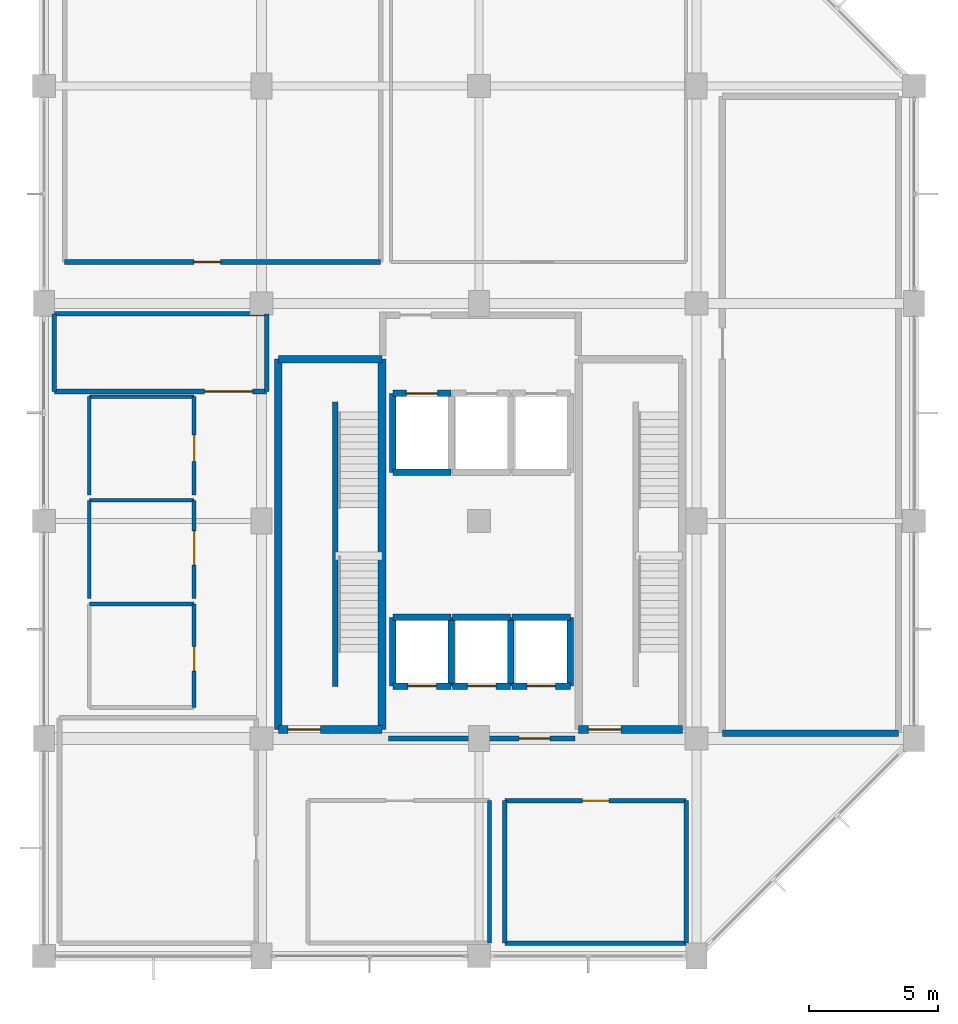
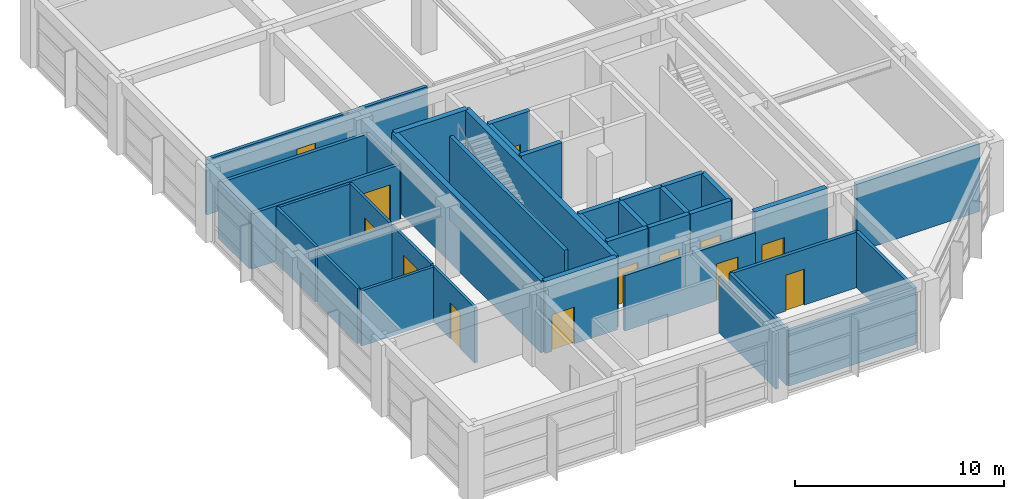
# One storey, part 10 of 12: 39 walls, 13 doors, 13 openings.
"""IFC4 building model written with IfcOpenShell, lengths in metres."""

from ifc_helpers import new_model, si_unit, direction, frame, frame_2d, origin, place, context, subcontext, project, spatial, rectangle, extrude, material, layer, layer_set, type_object, element, fill, save


model = new_model("IFC4")

# Units and contexts
model_context = context("Model", 3, precision=1e-05, world=origin(), true_north=direction((0.0, 1.0)))
body_context = subcontext(model_context, "Body", "Model", "MODEL_VIEW")
ifc_project = project(units=[si_unit("LENGTHUNIT", "METRE"), si_unit("AREAUNIT", "SQUARE_METRE"), si_unit("VOLUMEUNIT", "CUBIC_METRE"), si_unit("PLANEANGLEUNIT", "RADIAN"), si_unit("MASSUNIT", "GRAM", prefix="KILO")], contexts=[model_context])

# Site, building, storey
site_placement = place(None, origin())
site = spatial("IfcSite", under=ifc_project, at=site_placement, CompositionType="ELEMENT")
building_placement = place(site_placement, origin())
building = spatial("IfcBuilding", under=site, at=building_placement, Name="Xuanlan Plaza Opera House", CompositionType="ELEMENT")
storey_placement = place(building_placement, frame((0.0, 0.0, 61.5)))
storey = spatial("IfcBuildingStorey", under=building, at=storey_placement, Name="L14", CompositionType="ELEMENT", Elevation=61.5)

# Wall, opening, door
ifc_material_1 = material(Name="Gypsum Board and Galvanised Steel Studs", Category="gypsum")
ifc_layer_1 = layer(ifc_material_1, 0.179931640625)
ifc_layer_set_1 = layer_set([ifc_layer_1], Name="Gypsum Board and Galvanised Steel Studs")
wall_type_1 = type_object("IfcWallType", Name="INT-WL-PW-02", PredefinedType="PARTITIONING", material=ifc_layer_set_1)
wall_1_placement = place(storey_placement, frame((139.300048828125, 50.39990234375, 0.0), z_axis=(0.0, 0.0, 1.0), x_axis=(1.0, 0.0, 0.0)))
wall_1 = element("IfcWall", 1, at=wall_1_placement, inside=storey, type_object=wall_type_1, Name="Tower Lift Lobby Wall South", PredefinedType="PARTITIONING", context=body_context, shape_type="SweptSolid", body=[
    extrude(rectangle(XDim=7.199951171875, YDim=0.179931640625, at=frame_2d((3.60009765625, 0.0))), origin(), (0.0, 0.0, 1.0), 3.239990234375),
])
opening_1_placement = place(wall_1_placement, frame((5.050048828125, 0.0, 0.0)))
opening_1 = element("IfcOpeningElement", 2, at=opening_1_placement, cuts=wall_1, Name="Opening FD-02", PredefinedType="OPENING", context=body_context, shape_type="SweptSolid", body=[
    extrude(rectangle(XDim=1.199951171875, YDim=2.14990234375, at=frame_2d((0.60009765625, 1.074951171875))), frame((0.0, 0.099853515625, 0.0), z_axis=(0.0, -1.0, 0.0), x_axis=(1.0, 0.0, 0.0)), (0.0, 0.0, 1.0), 0.199951171875),
])
ifc_material_2 = material(Name="Galvanised Steel Q235B", Category="steel")
door_type_1 = type_object("IfcDoorType", Name="INT-DR-FD-02", OperationType="NOTDEFINED", PredefinedType="DOOR", material=ifc_material_2)
door_1_placement = place(opening_1_placement, frame((1.199951171875, 0.0, 0.0), z_axis=(0.0, 0.0, 1.0), x_axis=(-1.0, 0.0, 0.0)))
door_1 = element("IfcDoor", 3, at=door_1_placement, inside=storey, type_object=door_type_1, Name="Tower Lift Lobby Door 1", OperationType="SINGLE_SWING_RIGHT", OverallHeight=2.14990234375, OverallWidth=1.199951171875, PredefinedType="DOOR", context=body_context, shape_type="SweptSolid", body=[
    extrude(rectangle(XDim=1.199951171875, YDim=2.14990234375, at=frame_2d((0.60009765625, 1.074951171875))), frame((0.0, 0.02490234375, 0.0), z_axis=(0.0, -1.0, 0.0), x_axis=(1.0, 0.0, 0.0)), (0.0, 0.0, 1.0), 0.050048828125),
])
fill(opening_1, door_1)

wall_2_placement = place(storey_placement, frame((126.800048828125, 68.800048828125, 0.0), z_axis=(0.0, 0.0, 1.0), x_axis=(1.0, 0.0, 0.0)))
wall_2 = element("IfcWall", 4, at=wall_2_placement, inside=storey, type_object=wall_type_1, Name="Endowment Executive Suite West Wall South", PredefinedType="PARTITIONING", context=body_context, shape_type="SweptSolid", body=[
    extrude(rectangle(XDim=12.199951171875, YDim=0.179931640625, at=frame_2d((6.10009765625, 0.0))), origin(), (0.0, 0.0, 1.0), 3.239990234375),
])
opening_2_placement = place(wall_2_placement, frame((5.0, 0.0, 0.0)))
opening_2 = element("IfcOpeningElement", 5, at=opening_2_placement, cuts=wall_2, Name="Opening D-02", PredefinedType="OPENING", context=body_context, shape_type="SweptSolid", body=[
    extrude(rectangle(XDim=1.02001953125, YDim=2.10009765625, at=frame_2d((0.510009765625, 1.050048828125))), frame((0.0, 0.099853515625, 0.0), z_axis=(0.0, -1.0, 0.0), x_axis=(1.0, 0.0, 0.0)), (0.0, 0.0, 1.0), 0.199951171875),
])
ifc_material_3 = material(Name="Oak Hardwood Timber", Category="wood")
door_type_2 = type_object("IfcDoorType", Name="INT-DR-D-02", OperationType="NOTDEFINED", PredefinedType="DOOR", material=ifc_material_3)
door_2_placement = place(opening_2_placement, origin())
door_2 = element("IfcDoor", 6, at=door_2_placement, inside=storey, type_object=door_type_2, Name="Endowment Executive Suite West Door 1", OperationType="SINGLE_SWING_LEFT", OverallHeight=2.10009765625, OverallWidth=1.02001953125, PredefinedType="DOOR", context=body_context, shape_type="SweptSolid", body=[
    extrude(rectangle(XDim=1.02001953125, YDim=2.10009765625, at=frame_2d((0.510009765625, 1.050048828125))), frame((0.0, 0.02490234375, 0.0), z_axis=(0.0, -1.0, 0.0), x_axis=(1.0, 0.0, 0.0)), (0.0, 0.0, 1.0), 0.050048828125),
])
fill(opening_2, door_2)

wall_3_placement = place(storey_placement, frame((126.39990234375, 63.800048828125, 0.0), z_axis=(0.0, 0.0, 1.0), x_axis=(1.0, 0.0, 0.0)))
wall_3 = element("IfcWall", 7, at=wall_3_placement, inside=storey, type_object=wall_type_1, Name="Sheet-Music Conservation Studio Wall South", PredefinedType="PARTITIONING", context=body_context, shape_type="SweptSolid", body=[
    extrude(rectangle(XDim=8.2001953125, YDim=0.179931640625, at=frame_2d((4.10009765625, 0.0))), origin(), (0.0, 0.0, 1.0), 3.239990234375),
])
opening_3_placement = place(wall_3_placement, frame((5.800048828125, 0.0, 0.0)))
opening_3 = element("IfcOpeningElement", 8, at=opening_3_placement, cuts=wall_3, Name="Opening D-15", PredefinedType="OPENING", context=body_context, shape_type="SweptSolid", body=[
    extrude(rectangle(XDim=1.860107421875, YDim=2.260009765625, at=frame_2d((0.93017578125, 1.1298828125))), frame((0.0, 0.099853515625, 0.0), z_axis=(0.0, -1.0, 0.0), x_axis=(1.0, 0.0, 0.0)), (0.0, 0.0, 1.0), 0.199951171875),
])
ifc_material_4 = material(Name="Walnut Hardwood Timber", Category="wood")
door_type_3 = type_object("IfcDoorType", Name="INT-DR-D-15", OperationType="DOUBLE_DOOR_SINGLE_SWING", PredefinedType="DOOR", material=ifc_material_4)
door_3_placement = place(opening_3_placement, origin())
door_3 = element("IfcDoor", 9, at=door_3_placement, inside=storey, type_object=door_type_3, Name="Sheet-Music Conservation Studio Door 1", OperationType="DOUBLE_DOOR_SINGLE_SWING", OverallHeight=2.260009765625, OverallWidth=1.860107421875, PredefinedType="DOOR", context=body_context, shape_type="SweptSolid", body=[
    extrude(rectangle(XDim=1.860107421875, YDim=2.260009765625, at=frame_2d((0.93017578125, 1.1298828125))), frame((0.0, 0.02490234375, 0.0), z_axis=(0.0, -1.0, 0.0), x_axis=(1.0, 0.0, 0.0)), (0.0, 0.0, 1.0), 0.050048828125),
])
fill(opening_3, door_3)

# Walls
wall_4_placement = place(storey_placement, frame((126.39990234375, 66.800048828125, 0.0), z_axis=(0.0, 0.0, 1.0), x_axis=(1.0, 0.0, 0.0)))
element("IfcWall", 10, at=wall_4_placement, inside=storey, type_object=wall_type_1, Name="Sheet-Music Conservation Studio Wall North", PredefinedType="PARTITIONING", context=body_context, shape_type="SweptSolid", body=[
    extrude(rectangle(XDim=8.2001953125, YDim=0.179931640625, at=frame_2d((4.10009765625, 0.0))), origin(), (0.0, 0.0, 1.0), 3.239990234375),
])
for number, where, z_axis, x_axis, name in (
    (11, (126.39990234375, 63.800048828125, 0.0), (0.0, 0.0, 1.0), (0.0, 1.0, 0.0), "Sheet-Music Conservation Studio Wall West"),
    (12, (134.60009765625, 63.800048828125, 0.0), (0.0, 0.0, 1.0), (0.0, 1.0, 0.0), "Sheet-Music Conservation Studio Wall East"),
):
    element("IfcWall", number, at=place(storey_placement, frame(where, z_axis=z_axis, x_axis=x_axis)), inside=storey, type_object=wall_type_1, Name=name, PredefinedType="PARTITIONING", context=body_context, shape_type="SweptSolid", body=[
        extrude(rectangle(XDim=3.0, YDim=0.179931640625, at=frame_2d((1.5, 0.0))), origin(), (0.0, 0.0, 1.0), 3.239990234375),
    ])
wall_5_placement = place(storey_placement, frame((143.800048828125, 42.5, 0.0), z_axis=(0.0, 0.0, 1.0), x_axis=(1.0, 0.0, 0.0)))
element("IfcWall", 13, at=wall_5_placement, inside=storey, type_object=wall_type_1, Name="Libretto Archive Studio Wall South", PredefinedType="PARTITIONING", context=body_context, shape_type="SweptSolid", body=[
    extrude(rectangle(XDim=7.0, YDim=0.179931640625, at=frame_2d((3.5, 0.0))), origin(), (0.0, 0.0, 1.0), 3.239990234375),
])

# Wall, opening, door
wall_6_placement = place(storey_placement, frame((143.800048828125, 48.0, 0.0), z_axis=(0.0, 0.0, 1.0), x_axis=(1.0, 0.0, 0.0)))
wall_6 = element("IfcWall", 14, at=wall_6_placement, inside=storey, type_object=wall_type_1, Name="Libretto Archive Studio Wall North", PredefinedType="PARTITIONING", context=body_context, shape_type="SweptSolid", body=[
    extrude(rectangle(XDim=7.0, YDim=0.179931640625, at=frame_2d((3.5, 0.0))), origin(), (0.0, 0.0, 1.0), 3.239990234375),
])
opening_4_placement = place(wall_6_placement, frame((3.0, 0.0, 0.0)))
opening_4 = element("IfcOpeningElement", 15, at=opening_4_placement, cuts=wall_6, Name="Opening D-02", PredefinedType="OPENING", context=body_context, shape_type="SweptSolid", body=[
    extrude(rectangle(XDim=1.02001953125, YDim=2.10009765625, at=frame_2d((0.510009765625, 1.050048828125))), frame((0.0, 0.099853515625, 0.0), z_axis=(0.0, -1.0, 0.0), x_axis=(1.0, 0.0, 0.0)), (0.0, 0.0, 1.0), 0.199951171875),
])
door_4_placement = place(opening_4_placement, origin())
door_4 = element("IfcDoor", 16, at=door_4_placement, inside=storey, type_object=door_type_2, Name="Libretto Archive Studio Door 1", OperationType="SINGLE_SWING_RIGHT", OverallHeight=2.10009765625, OverallWidth=1.02001953125, PredefinedType="DOOR", context=body_context, shape_type="SweptSolid", body=[
    extrude(rectangle(XDim=1.02001953125, YDim=2.10009765625, at=frame_2d((0.510009765625, 1.050048828125))), frame((0.0, 0.02490234375, 0.0), z_axis=(0.0, -1.0, 0.0), x_axis=(1.0, 0.0, 0.0)), (0.0, 0.0, 1.0), 0.050048828125),
])
fill(opening_4, door_4)

# Walls
for number, where, z_axis, x_axis, name in (
    (17, (143.800048828125, 42.5, 0.0), (0.0, 0.0, 1.0), (0.0, 1.0, 0.0), "Libretto Archive Studio Wall West"),
    (18, (150.800048828125, 42.5, 0.0), (0.0, 0.0, 1.0), (0.0, 1.0, 0.0), "Libretto Archive Studio Wall East"),
):
    element("IfcWall", number, at=place(storey_placement, frame(where, z_axis=z_axis, x_axis=x_axis)), inside=storey, type_object=wall_type_1, Name=name, PredefinedType="PARTITIONING", context=body_context, shape_type="SweptSolid", body=[
        extrude(rectangle(XDim=5.5, YDim=0.179931640625, at=frame_2d((2.75, 0.0))), origin(), (0.0, 0.0, 1.0), 3.239990234375),
    ])
ifc_material_5 = material(Name="Autoclaved Aerated Blockwork Masonry", Category="masonry")
ifc_layer_2 = layer(ifc_material_5, 0.14990234375)
ifc_layer_set_2 = layer_set([ifc_layer_2], Name="Autoclaved Aerated Blockwork Masonry")
wall_type_2 = type_object("IfcWallType", Name="INT-WL-PW-03", PredefinedType="PARTITIONING", material=ifc_layer_set_2)
wall_7_placement = place(storey_placement, frame((127.75, 55.60009765625, 0.0), z_axis=(0.0, 0.0, 1.0), x_axis=(1.0, 0.0, 0.0)))
element("IfcWall", 19, at=wall_7_placement, inside=storey, type_object=wall_type_2, Name="Public WC Wall North", PredefinedType="PARTITIONING", context=body_context, shape_type="SweptSolid", body=[
    extrude(rectangle(XDim=4.050048828125, YDim=0.14990234375, at=frame_2d((2.02490234375, 0.0))), origin(), (0.0, 0.0, 1.0), 3.239990234375),
])

# Wall, opening, door
wall_8_placement = place(storey_placement, frame((131.800048828125, 51.60009765625, 0.0), z_axis=(0.0, 0.0, 1.0), x_axis=(0.0, 1.0, 0.0)))
wall_8 = element("IfcWall", 20, at=wall_8_placement, inside=storey, type_object=wall_type_2, Name="Public WC Wall East", PredefinedType="PARTITIONING", context=body_context, shape_type="SweptSolid", body=[
    extrude(rectangle(XDim=4.0, YDim=0.14990234375, at=frame_2d((2.0, 0.0))), origin(), (0.0, 0.0, 1.0), 3.239990234375),
])
opening_5_placement = place(wall_8_placement, frame((1.39990234375, 0.0, 0.0)))
opening_5 = element("IfcOpeningElement", 21, at=opening_5_placement, cuts=wall_8, Name="Opening D-01", PredefinedType="OPENING", context=body_context, shape_type="SweptSolid", body=[
    extrude(rectangle(XDim=0.949951171875, YDim=2.10009765625, at=frame_2d((0.47509765625, 1.050048828125))), frame((0.0, 0.0849609375, 0.0), z_axis=(0.0, -1.0, 0.0), x_axis=(1.0, 0.0, 0.0)), (0.0, 0.0, 1.0), 0.169921875),
])
door_type_4 = type_object("IfcDoorType", Name="INT-DR-D-01", OperationType="NOTDEFINED", PredefinedType="DOOR", material=ifc_material_4)
door_5_placement = place(opening_5_placement, origin())
door_5 = element("IfcDoor", 22, at=door_5_placement, inside=storey, type_object=door_type_4, Name="Public WC Door 1", OperationType="SINGLE_SWING_RIGHT", OverallHeight=2.10009765625, OverallWidth=0.949951171875, PredefinedType="DOOR", context=body_context, shape_type="SweptSolid", body=[
    extrude(rectangle(XDim=0.949951171875, YDim=2.10009765625, at=frame_2d((0.47509765625, 1.050048828125))), frame((0.0, 0.02490234375, 0.0), z_axis=(0.0, -1.0, 0.0), x_axis=(1.0, 0.0, 0.0)), (0.0, 0.0, 1.0), 0.050048828125),
])
fill(opening_5, door_5)

# Walls
wall_9_placement = place(storey_placement, frame((127.75, 59.60009765625, 0.0), z_axis=(0.0, 0.0, 1.0), x_axis=(1.0, 0.0, 0.0)))
element("IfcWall", 23, at=wall_9_placement, inside=storey, type_object=wall_type_2, Name="Staff WC Wall North", PredefinedType="PARTITIONING", context=body_context, shape_type="SweptSolid", body=[
    extrude(rectangle(XDim=4.050048828125, YDim=0.14990234375, at=frame_2d((2.02490234375, 0.0))), origin(), (0.0, 0.0, 1.0), 3.239990234375),
])
wall_10_placement = place(storey_placement, frame((127.75, 55.800048828125, 0.0), z_axis=(0.0, 0.0, 1.0), x_axis=(0.0, 1.0, 0.0)))
element("IfcWall", 24, at=wall_10_placement, inside=storey, type_object=wall_type_2, Name="Staff WC Wall West", PredefinedType="PARTITIONING", context=body_context, shape_type="SweptSolid", body=[
    extrude(rectangle(XDim=3.800048828125, YDim=0.14990234375, at=frame_2d((1.89990234375, 0.0))), origin(), (0.0, 0.0, 1.0), 3.239990234375),
])

# Wall, opening, door
wall_11_placement = place(storey_placement, frame((131.800048828125, 55.800048828125, 0.0), z_axis=(0.0, 0.0, 1.0), x_axis=(0.0, 1.0, 0.0)))
wall_11 = element("IfcWall", 25, at=wall_11_placement, inside=storey, type_object=wall_type_2, Name="Staff WC Wall East", PredefinedType="PARTITIONING", context=body_context, shape_type="SweptSolid", body=[
    extrude(rectangle(XDim=3.800048828125, YDim=0.14990234375, at=frame_2d((1.89990234375, 0.0))), origin(), (0.0, 0.0, 1.0), 3.239990234375),
])
opening_6_placement = place(wall_11_placement, frame((1.300048828125, 0.0, 0.0)))
opening_6 = element("IfcOpeningElement", 26, at=opening_6_placement, cuts=wall_11, Name="Opening D-07", PredefinedType="OPENING", context=body_context, shape_type="SweptSolid", body=[
    extrude(rectangle(XDim=1.320068359375, YDim=2.179931640625, at=frame_2d((0.66015625, 1.08984375))), frame((0.0, 0.0849609375, 0.0), z_axis=(0.0, -1.0, 0.0), x_axis=(1.0, 0.0, 0.0)), (0.0, 0.0, 1.0), 0.169921875),
])
door_type_5 = type_object("IfcDoorType", Name="INT-DR-D-07", OperationType="NOTDEFINED", PredefinedType="DOOR", material=ifc_material_4)
door_6_placement = place(opening_6_placement, origin())
door_6 = element("IfcDoor", 27, at=door_6_placement, inside=storey, type_object=door_type_5, Name="Staff WC Door 1", OperationType="SINGLE_SWING_LEFT", OverallHeight=2.179931640625, OverallWidth=1.320068359375, PredefinedType="DOOR", context=body_context, shape_type="SweptSolid", body=[
    extrude(rectangle(XDim=1.320068359375, YDim=2.179931640625, at=frame_2d((0.66015625, 1.08984375))), frame((0.0, 0.02490234375, 0.0), z_axis=(0.0, -1.0, 0.0), x_axis=(1.0, 0.0, 0.0)), (0.0, 0.0, 1.0), 0.050048828125),
])
fill(opening_6, door_6)

# Walls
wall_12_placement = place(storey_placement, frame((127.75, 63.60009765625, 0.0), z_axis=(0.0, 0.0, 1.0), x_axis=(1.0, 0.0, 0.0)))
element("IfcWall", 28, at=wall_12_placement, inside=storey, type_object=wall_type_2, Name="Accessible WC Wall North", PredefinedType="PARTITIONING", context=body_context, shape_type="SweptSolid", body=[
    extrude(rectangle(XDim=4.050048828125, YDim=0.14990234375, at=frame_2d((2.02490234375, 0.0))), origin(), (0.0, 0.0, 1.0), 3.239990234375),
])
wall_13_placement = place(storey_placement, frame((127.75, 59.800048828125, 0.0), z_axis=(0.0, 0.0, 1.0), x_axis=(0.0, 1.0, 0.0)))
element("IfcWall", 29, at=wall_13_placement, inside=storey, type_object=wall_type_2, Name="Accessible WC Wall West", PredefinedType="PARTITIONING", context=body_context, shape_type="SweptSolid", body=[
    extrude(rectangle(XDim=3.800048828125, YDim=0.14990234375, at=frame_2d((1.89990234375, 0.0))), origin(), (0.0, 0.0, 1.0), 3.239990234375),
])

# Wall, opening, door
wall_14_placement = place(storey_placement, frame((131.800048828125, 59.800048828125, 0.0), z_axis=(0.0, 0.0, 1.0), x_axis=(0.0, 1.0, 0.0)))
wall_14 = element("IfcWall", 30, at=wall_14_placement, inside=storey, type_object=wall_type_2, Name="Accessible WC Wall East", PredefinedType="PARTITIONING", context=body_context, shape_type="SweptSolid", body=[
    extrude(rectangle(XDim=3.800048828125, YDim=0.14990234375, at=frame_2d((1.89990234375, 0.0))), origin(), (0.0, 0.0, 1.0), 3.239990234375),
])
opening_7_placement = place(wall_14_placement, frame((1.300048828125, 0.0, 0.0)))
opening_7 = element("IfcOpeningElement", 31, at=opening_7_placement, cuts=wall_14, Name="Opening D-02", PredefinedType="OPENING", context=body_context, shape_type="SweptSolid", body=[
    extrude(rectangle(XDim=1.02001953125, YDim=2.10009765625, at=frame_2d((0.510009765625, 1.050048828125))), frame((0.0, 0.0849609375, 0.0), z_axis=(0.0, -1.0, 0.0), x_axis=(1.0, 0.0, 0.0)), (0.0, 0.0, 1.0), 0.169921875),
])
door_7_placement = place(opening_7_placement, origin())
door_7 = element("IfcDoor", 32, at=door_7_placement, inside=storey, type_object=door_type_2, Name="Accessible WC Door 1", OperationType="SINGLE_SWING_RIGHT", OverallHeight=2.10009765625, OverallWidth=1.02001953125, PredefinedType="DOOR", context=body_context, shape_type="SweptSolid", body=[
    extrude(rectangle(XDim=1.02001953125, YDim=2.10009765625, at=frame_2d((0.510009765625, 1.050048828125))), frame((0.0, 0.02490234375, 0.0), z_axis=(0.0, -1.0, 0.0), x_axis=(1.0, 0.0, 0.0)), (0.0, 0.0, 1.0), 0.050048828125),
])
fill(opening_7, door_7)

# Walls
ifc_layer_3 = layer(ifc_material_1, 0.159912109375)
ifc_layer_set_3 = layer_set([ifc_layer_3], Name="Gypsum Board and Galvanised Steel Studs")
wall_type_3 = type_object("IfcWallType", Name="INT-WL-PW-05", PredefinedType="PARTITIONING", material=ifc_layer_set_3)
wall_15_placement = place(storey_placement, frame((143.199951171875, 42.5, 0.0), z_axis=(0.0, 0.0, 1.0), x_axis=(0.0, 1.0, 0.0)))
element("IfcWall", 33, at=wall_15_placement, inside=storey, type_object=wall_type_3, Name="Chamber Music Coaching Studio Wall East", PredefinedType="PARTITIONING", context=body_context, shape_type="SweptSolid", body=[
    extrude(rectangle(XDim=5.5, YDim=0.159912109375, at=frame_2d((2.75, 0.0))), origin(), (0.0, 0.0, 1.0), 3.239990234375),
])
ifc_material_6 = material(Name="Concrete C40", Category="concrete")
ifc_layer_4 = layer(ifc_material_6, 0.25)
ifc_layer_set_4 = layer_set([ifc_layer_4], Name="Concrete C40")
wall_type_4 = type_object("IfcWallType", Name="INT-WL-SW-LF1", PredefinedType="SHEAR", material=ifc_layer_set_4)
wall_16_placement = place(storey_placement, frame((139.47509765625, 60.675048828125, 0.0), z_axis=(0.0, 0.0, 1.0), x_axis=(1.0, 0.0, 0.0)))
element("IfcWall", 34, at=wall_16_placement, inside=storey, type_object=wall_type_4, Name="Lift Shaft Wall LF-FF1 L14 South", PredefinedType="SHEAR", context=body_context, shape_type="SweptSolid", body=[
    extrude(rectangle(XDim=2.25, YDim=0.25, at=frame_2d((1.125, 0.0))), origin(), (0.0, 0.0, 1.0), 3.9599609375),
])

# Wall, opening, door
wall_17_placement = place(storey_placement, frame((139.47509765625, 63.72509765625, 0.0), z_axis=(0.0, 0.0, 1.0), x_axis=(1.0, 0.0, 0.0)))
wall_17 = element("IfcWall", 35, at=wall_17_placement, inside=storey, type_object=wall_type_4, Name="Lift Shaft Wall LF-FF1 L14 North", PredefinedType="SHEAR", context=body_context, shape_type="SweptSolid", body=[
    extrude(rectangle(XDim=2.25, YDim=0.25, at=frame_2d((1.125, 0.0))), origin(), (0.0, 0.0, 1.0), 3.9599609375),
])
opening_8_placement = place(wall_17_placement, frame((0.52490234375, 0.0, 0.0)))
opening_8 = element("IfcOpeningElement", 36, at=opening_8_placement, cuts=wall_17, Name="Opening LD-FF1-L14", PredefinedType="OPENING", context=body_context, shape_type="SweptSolid", body=[
    extrude(rectangle(XDim=1.199951171875, YDim=2.179931640625, at=frame_2d((0.60009765625, 1.08984375))), frame((0.0, 0.135009765625, 0.0), z_axis=(0.0, -1.0, 0.0), x_axis=(1.0, 0.0, 0.0)), (0.0, 0.0, 1.0), 0.27001953125),
])
ifc_material_7 = material(Name="Stainless Steel S30408", Category="steel")
door_type_6 = type_object("IfcDoorType", Name="INT-DR-LD-02", OperationType="DOUBLE_DOOR_SLIDING", PredefinedType="DOOR", material=ifc_material_7)
door_8_placement = place(opening_8_placement, origin())
door_8 = element("IfcDoor", 37, at=door_8_placement, inside=storey, type_object=door_type_6, Name="Lift Sliding Landing Door LF-FF1 L14", OperationType="DOUBLE_DOOR_SLIDING", OverallHeight=2.179931640625, OverallWidth=1.199951171875, PredefinedType="DOOR", context=body_context, shape_type="SweptSolid", body=[
    extrude(rectangle(XDim=1.199951171875, YDim=2.179931640625, at=frame_2d((0.60009765625, 1.08984375))), frame((0.0, 0.02490234375, 0.0), z_axis=(0.0, -1.0, 0.0), x_axis=(1.0, 0.0, 0.0)), (0.0, 0.0, 1.0), 0.050048828125),
])
fill(opening_8, door_8)

# Wall
wall_18_placement = place(storey_placement, frame((139.47509765625, 60.675048828125, 0.0), z_axis=(0.0, 0.0, 1.0), x_axis=(0.0, 1.0, 0.0)))
element("IfcWall", 38, at=wall_18_placement, inside=storey, type_object=wall_type_4, Name="Lift Shaft Wall LF-FF1 L14 West", PredefinedType="SHEAR", context=body_context, shape_type="SweptSolid", body=[
    extrude(rectangle(XDim=3.050048828125, YDim=0.25, at=frame_2d((1.52490234375, 0.0))), origin(), (0.0, 0.0, 1.0), 3.9599609375),
])

# Wall, opening, door
wall_19_placement = place(storey_placement, frame((139.47509765625, 52.425048828125, 0.0), z_axis=(0.0, 0.0, 1.0), x_axis=(1.0, 0.0, 0.0)))
wall_19 = element("IfcWall", 39, at=wall_19_placement, inside=storey, type_object=wall_type_4, Name="Lift Shaft Wall LF-P1 L14 South", PredefinedType="SHEAR", context=body_context, shape_type="SweptSolid", body=[
    extrude(rectangle(XDim=2.25, YDim=0.25, at=frame_2d((1.125, 0.0))), origin(), (0.0, 0.0, 1.0), 3.9599609375),
])
opening_9_placement = place(wall_19_placement, frame((0.574951171875, 0.0, 0.0)))
opening_9 = element("IfcOpeningElement", 40, at=opening_9_placement, cuts=wall_19, Name="Opening LD-P1-L14", PredefinedType="OPENING", context=body_context, shape_type="SweptSolid", body=[
    extrude(rectangle(XDim=1.10009765625, YDim=2.14990234375, at=frame_2d((0.550048828125, 1.074951171875))), frame((0.0, 0.135009765625, 0.0), z_axis=(0.0, -1.0, 0.0), x_axis=(1.0, 0.0, 0.0)), (0.0, 0.0, 1.0), 0.27001953125),
])
door_type_7 = type_object("IfcDoorType", Name="INT-DR-LD-01", OperationType="DOUBLE_DOOR_SLIDING", PredefinedType="DOOR", material=ifc_material_7)
door_9_placement = place(opening_9_placement, origin())
door_9 = element("IfcDoor", 41, at=door_9_placement, inside=storey, type_object=door_type_7, Name="Lift Sliding Landing Door LF-P1 L14", OperationType="DOUBLE_DOOR_SLIDING", OverallHeight=2.14990234375, OverallWidth=1.10009765625, PredefinedType="DOOR", context=body_context, shape_type="SweptSolid", body=[
    extrude(rectangle(XDim=1.10009765625, YDim=2.14990234375, at=frame_2d((0.550048828125, 1.074951171875))), frame((0.0, 0.02490234375, 0.0), z_axis=(0.0, -1.0, 0.0), x_axis=(1.0, 0.0, 0.0)), (0.0, 0.0, 1.0), 0.050048828125),
])
fill(opening_9, door_9)

# Walls
wall_20_placement = place(storey_placement, frame((139.47509765625, 55.074951171875, 0.0), z_axis=(0.0, 0.0, 1.0), x_axis=(1.0, 0.0, 0.0)))
element("IfcWall", 42, at=wall_20_placement, inside=storey, type_object=wall_type_4, Name="Lift Shaft Wall LF-P1 L14 North", PredefinedType="SHEAR", context=body_context, shape_type="SweptSolid", body=[
    extrude(rectangle(XDim=2.25, YDim=0.25, at=frame_2d((1.125, 0.0))), origin(), (0.0, 0.0, 1.0), 3.9599609375),
])
for number, where, z_axis, x_axis, name in (
    (43, (139.47509765625, 52.425048828125, 0.0), (0.0, 0.0, 1.0), (0.0, 1.0, 0.0), "Lift Shaft Wall LF-P1 L14 West"),
    (44, (141.72509765625, 52.425048828125, 0.0), (0.0, 0.0, 1.0), (0.0, 1.0, 0.0), "Lift Shaft Wall LF-P1 L14 East"),
):
    element("IfcWall", number, at=place(storey_placement, frame(where, z_axis=z_axis, x_axis=x_axis)), inside=storey, type_object=wall_type_4, Name=name, PredefinedType="SHEAR", context=body_context, shape_type="SweptSolid", body=[
        extrude(rectangle(XDim=2.64990234375, YDim=0.25, at=frame_2d((1.324951171875, 0.0))), origin(), (0.0, 0.0, 1.0), 3.9599609375),
    ])

# Wall, opening, door
wall_21_placement = place(storey_placement, frame((141.77490234375, 52.425048828125, 0.0), z_axis=(0.0, 0.0, 1.0), x_axis=(1.0, 0.0, 0.0)))
wall_21 = element("IfcWall", 45, at=wall_21_placement, inside=storey, type_object=wall_type_4, Name="Lift Shaft Wall LF-P2 L14 South", PredefinedType="SHEAR", context=body_context, shape_type="SweptSolid", body=[
    extrude(rectangle(XDim=2.25, YDim=0.25, at=frame_2d((1.125, 0.0))), origin(), (0.0, 0.0, 1.0), 3.9599609375),
])
opening_10_placement = place(wall_21_placement, frame((0.574951171875, 0.0, 0.0)))
opening_10 = element("IfcOpeningElement", 46, at=opening_10_placement, cuts=wall_21, Name="Opening LD-P2-L14", PredefinedType="OPENING", context=body_context, shape_type="SweptSolid", body=[
    extrude(rectangle(XDim=1.10009765625, YDim=2.14990234375, at=frame_2d((0.550048828125, 1.074951171875))), frame((0.0, 0.135009765625, 0.0), z_axis=(0.0, -1.0, 0.0), x_axis=(1.0, 0.0, 0.0)), (0.0, 0.0, 1.0), 0.27001953125),
])
door_10_placement = place(opening_10_placement, origin())
door_10 = element("IfcDoor", 47, at=door_10_placement, inside=storey, type_object=door_type_7, Name="Lift Sliding Landing Door LF-P2 L14", OperationType="DOUBLE_DOOR_SLIDING", OverallHeight=2.14990234375, OverallWidth=1.10009765625, PredefinedType="DOOR", context=body_context, shape_type="SweptSolid", body=[
    extrude(rectangle(XDim=1.10009765625, YDim=2.14990234375, at=frame_2d((0.550048828125, 1.074951171875))), frame((0.0, 0.02490234375, 0.0), z_axis=(0.0, -1.0, 0.0), x_axis=(1.0, 0.0, 0.0)), (0.0, 0.0, 1.0), 0.050048828125),
])
fill(opening_10, door_10)

# Walls
wall_22_placement = place(storey_placement, frame((141.77490234375, 55.074951171875, 0.0), z_axis=(0.0, 0.0, 1.0), x_axis=(1.0, 0.0, 0.0)))
element("IfcWall", 48, at=wall_22_placement, inside=storey, type_object=wall_type_4, Name="Lift Shaft Wall LF-P2 L14 North", PredefinedType="SHEAR", context=body_context, shape_type="SweptSolid", body=[
    extrude(rectangle(XDim=2.25, YDim=0.25, at=frame_2d((1.125, 0.0))), origin(), (0.0, 0.0, 1.0), 3.9599609375),
])
wall_23_placement = place(storey_placement, frame((144.02490234375, 52.425048828125, 0.0), z_axis=(0.0, 0.0, 1.0), x_axis=(0.0, 1.0, 0.0)))
element("IfcWall", 49, at=wall_23_placement, inside=storey, type_object=wall_type_4, Name="Lift Shaft Wall LF-P2 L14 East", PredefinedType="SHEAR", context=body_context, shape_type="SweptSolid", body=[
    extrude(rectangle(XDim=2.64990234375, YDim=0.25, at=frame_2d((1.324951171875, 0.0))), origin(), (0.0, 0.0, 1.0), 3.9599609375),
])

# Wall, opening, door
wall_24_placement = place(storey_placement, frame((144.074951171875, 52.425048828125, 0.0), z_axis=(0.0, 0.0, 1.0), x_axis=(1.0, 0.0, 0.0)))
wall_24 = element("IfcWall", 50, at=wall_24_placement, inside=storey, type_object=wall_type_4, Name="Lift Shaft Wall LF-P3 L14 South", PredefinedType="SHEAR", context=body_context, shape_type="SweptSolid", body=[
    extrude(rectangle(XDim=2.25, YDim=0.25, at=frame_2d((1.125, 0.0))), origin(), (0.0, 0.0, 1.0), 3.9599609375),
])
opening_11_placement = place(wall_24_placement, frame((0.574951171875, 0.0, 0.0)))
opening_11 = element("IfcOpeningElement", 51, at=opening_11_placement, cuts=wall_24, Name="Opening LD-P3-L14", PredefinedType="OPENING", context=body_context, shape_type="SweptSolid", body=[
    extrude(rectangle(XDim=1.10009765625, YDim=2.14990234375, at=frame_2d((0.550048828125, 1.074951171875))), frame((0.0, 0.135009765625, 0.0), z_axis=(0.0, -1.0, 0.0), x_axis=(1.0, 0.0, 0.0)), (0.0, 0.0, 1.0), 0.27001953125),
])
door_11_placement = place(opening_11_placement, origin())
door_11 = element("IfcDoor", 52, at=door_11_placement, inside=storey, type_object=door_type_7, Name="Lift Sliding Landing Door LF-P3 L14", OperationType="DOUBLE_DOOR_SLIDING", OverallHeight=2.14990234375, OverallWidth=1.10009765625, PredefinedType="DOOR", context=body_context, shape_type="SweptSolid", body=[
    extrude(rectangle(XDim=1.10009765625, YDim=2.14990234375, at=frame_2d((0.550048828125, 1.074951171875))), frame((0.0, 0.02490234375, 0.0), z_axis=(0.0, -1.0, 0.0), x_axis=(1.0, 0.0, 0.0)), (0.0, 0.0, 1.0), 0.050048828125),
])
fill(opening_11, door_11)

# Walls
wall_25_placement = place(storey_placement, frame((144.074951171875, 55.074951171875, 0.0), z_axis=(0.0, 0.0, 1.0), x_axis=(1.0, 0.0, 0.0)))
element("IfcWall", 53, at=wall_25_placement, inside=storey, type_object=wall_type_4, Name="Lift Shaft Wall LF-P3 L14 North", PredefinedType="SHEAR", context=body_context, shape_type="SweptSolid", body=[
    extrude(rectangle(XDim=2.25, YDim=0.25, at=frame_2d((1.125, 0.0))), origin(), (0.0, 0.0, 1.0), 3.9599609375),
])
wall_26_placement = place(storey_placement, frame((146.324951171875, 52.425048828125, 0.0), z_axis=(0.0, 0.0, 1.0), x_axis=(0.0, 1.0, 0.0)))
element("IfcWall", 54, at=wall_26_placement, inside=storey, type_object=wall_type_4, Name="Lift Shaft Wall LF-P3 L14 East", PredefinedType="SHEAR", context=body_context, shape_type="SweptSolid", body=[
    extrude(rectangle(XDim=2.64990234375, YDim=0.25, at=frame_2d((1.324951171875, 0.0))), origin(), (0.0, 0.0, 1.0), 3.9599609375),
])
wall_27_placement = place(storey_placement, frame((152.199951171875, 50.60009765625, 0.0), z_axis=(0.0, 0.0, 1.0), x_axis=(1.0, 0.0, 0.0)))
element("IfcWall", 55, at=wall_27_placement, inside=storey, type_object=wall_type_4, Name="Orchestral Sheet-Music Archive Wall South", PredefinedType="SHEAR", context=body_context, shape_type="SweptSolid", body=[
    extrude(rectangle(XDim=6.800048828125, YDim=0.25, at=frame_2d((3.39990234375, 0.0))), origin(), (0.0, 0.0, 1.0), 3.9599609375),
])
ifc_layer_5 = layer(ifc_material_6, 0.199951171875)
ifc_layer_set_5 = layer_set([ifc_layer_5], Name="Concrete C40")
wall_type_5 = type_object("IfcWallType", Name="INT-WL-SW-SPN", PredefinedType="SHEAR", material=ifc_layer_set_5)
wall_28_placement = place(storey_placement, frame((137.25, 52.39990234375, 0.0), z_axis=(0.0, 0.0, 1.0), x_axis=(0.0, 1.0, 0.0)))
element("IfcWall", 56, at=wall_28_placement, inside=storey, type_object=wall_type_5, Name="Stair Structural Spine Wall ST-T1 L14", PredefinedType="SHEAR", context=body_context, shape_type="SweptSolid", body=[
    extrude(rectangle(XDim=11.0, YDim=0.199951171875, at=frame_2d((5.5, 0.0))), origin(), (0.0, 0.0, 1.0), 4.199951171875),
])

# Wall, opening, door
ifc_layer_6 = layer(ifc_material_6, 0.300048828125)
ifc_layer_set_6 = layer_set([ifc_layer_6], Name="Concrete C40")
wall_type_6 = type_object("IfcWallType", Name="INT-WL-SW-ST1", PredefinedType="SHEAR", material=ifc_layer_set_6)
wall_29_placement = place(storey_placement, frame((135.050048828125, 50.75, 0.0), z_axis=(0.0, 0.0, 1.0), x_axis=(1.0, 0.0, 0.0)))
wall_29 = element("IfcWall", 57, at=wall_29_placement, inside=storey, type_object=wall_type_6, Name="Stair Core Wall ST-T1 L14 South", PredefinedType="SHEAR", context=body_context, shape_type="SweptSolid", body=[
    extrude(rectangle(XDim=4.0, YDim=0.300048828125, at=frame_2d((2.0, 0.0))), origin(), (0.0, 0.0, 1.0), 4.199951171875),
])
opening_12_placement = place(wall_29_placement, frame((0.375, 0.0, 0.0)))
opening_12 = element("IfcOpeningElement", 58, at=opening_12_placement, cuts=wall_29, Name="Opening FD-ST1", PredefinedType="OPENING", context=body_context, shape_type="SweptSolid", body=[
    extrude(rectangle(XDim=1.25, YDim=2.14990234375, at=frame_2d((0.625, 1.074951171875))), frame((0.0, 0.159912109375, 0.0), z_axis=(0.0, -1.0, 0.0), x_axis=(1.0, 0.0, 0.0)), (0.0, 0.0, 1.0), 0.320068359375),
])
door_type_8 = type_object("IfcDoorType", Name="INT-DR-FD-ST1", OperationType="NOTDEFINED", PredefinedType="DOOR", material=ifc_material_2)
door_12_placement = place(opening_12_placement, origin())
door_12 = element("IfcDoor", 59, at=door_12_placement, inside=storey, type_object=door_type_8, Name="Stair Enclosure Fire Door ST-T1 L14", OperationType="SINGLE_SWING_LEFT", OverallHeight=2.14990234375, OverallWidth=1.25, PredefinedType="DOOR", context=body_context, shape_type="SweptSolid", body=[
    extrude(rectangle(XDim=1.25, YDim=2.14990234375, at=frame_2d((0.625, 1.074951171875))), frame((0.0, 0.02490234375, 0.0), z_axis=(0.0, -1.0, 0.0), x_axis=(1.0, 0.0, 0.0)), (0.0, 0.0, 1.0), 0.050048828125),
])
fill(opening_12, door_12)

# Walls
wall_30_placement = place(storey_placement, frame((135.050048828125, 65.050048828125, 0.0), z_axis=(0.0, 0.0, 1.0), x_axis=(1.0, 0.0, 0.0)))
element("IfcWall", 60, at=wall_30_placement, inside=storey, type_object=wall_type_6, Name="Stair Core Wall ST-T1 L14 North", PredefinedType="SHEAR", context=body_context, shape_type="SweptSolid", body=[
    extrude(rectangle(XDim=4.0, YDim=0.300048828125, at=frame_2d((2.0, 0.0))), origin(), (0.0, 0.0, 1.0), 4.199951171875),
])
for number, where, z_axis, x_axis, name in (
    (61, (135.050048828125, 50.75, 0.0), (0.0, 0.0, 1.0), (0.0, 1.0, 0.0), "Stair Core Wall ST-T1 L14 West"),
    (62, (139.050048828125, 50.75, 0.0), (0.0, 0.0, 1.0), (0.0, 1.0, 0.0), "Stair Core Wall ST-T1 L14 East"),
):
    element("IfcWall", number, at=place(storey_placement, frame(where, z_axis=z_axis, x_axis=x_axis)), inside=storey, type_object=wall_type_6, Name=name, PredefinedType="SHEAR", context=body_context, shape_type="SweptSolid", body=[
        extrude(rectangle(XDim=14.300048828125, YDim=0.300048828125, at=frame_2d((7.14990234375, 0.0))), origin(), (0.0, 0.0, 1.0), 4.199951171875),
    ])

# Wall, opening, door
wall_31_placement = place(storey_placement, frame((146.64990234375, 50.75, 0.0), z_axis=(0.0, 0.0, 1.0), x_axis=(1.0, 0.0, 0.0)))
wall_31 = element("IfcWall", 63, at=wall_31_placement, inside=storey, type_object=wall_type_6, Name="Stair Core Wall ST-T2 L14 South", PredefinedType="SHEAR", context=body_context, shape_type="SweptSolid", body=[
    extrude(rectangle(XDim=4.0, YDim=0.300048828125, at=frame_2d((2.0, 0.0))), origin(), (0.0, 0.0, 1.0), 4.199951171875),
])
opening_13_placement = place(wall_31_placement, frame((0.375, 0.0, 0.0)))
opening_13 = element("IfcOpeningElement", 64, at=opening_13_placement, cuts=wall_31, Name="Opening FD-ST1", PredefinedType="OPENING", context=body_context, shape_type="SweptSolid", body=[
    extrude(rectangle(XDim=1.25, YDim=2.14990234375, at=frame_2d((0.625, 1.074951171875))), frame((0.0, 0.159912109375, 0.0), z_axis=(0.0, -1.0, 0.0), x_axis=(1.0, 0.0, 0.0)), (0.0, 0.0, 1.0), 0.320068359375),
])
door_13_placement = place(opening_13_placement, origin())
door_13 = element("IfcDoor", 65, at=door_13_placement, inside=storey, type_object=door_type_8, Name="Stair Enclosure Fire Door ST-T2 L14", OperationType="SINGLE_SWING_RIGHT", OverallHeight=2.14990234375, OverallWidth=1.25, PredefinedType="DOOR", context=body_context, shape_type="SweptSolid", body=[
    extrude(rectangle(XDim=1.25, YDim=2.14990234375, at=frame_2d((0.625, 1.074951171875))), frame((0.0, 0.02490234375, 0.0), z_axis=(0.0, -1.0, 0.0), x_axis=(1.0, 0.0, 0.0)), (0.0, 0.0, 1.0), 0.050048828125),
])
fill(opening_13, door_13)

save(model, "model.ifc")
